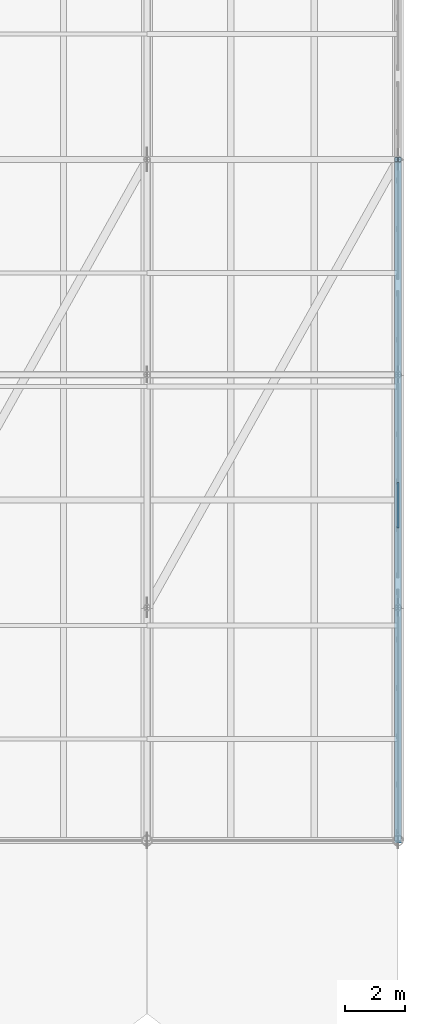
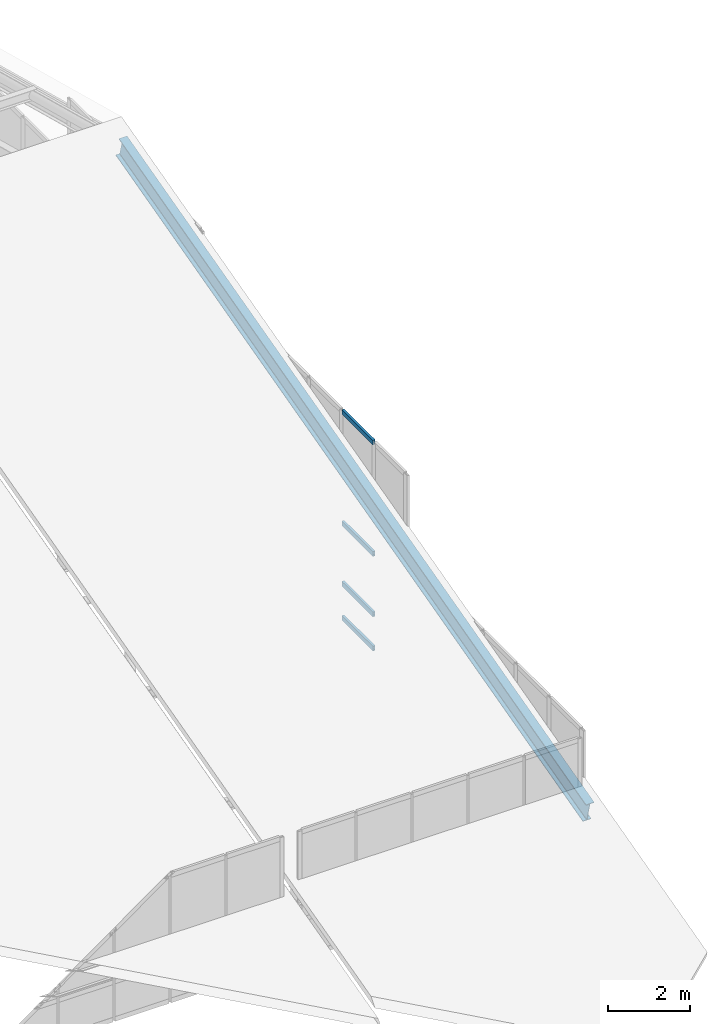
# One storey, part 27 of 43: 4 members, 1 beam, 1 element without a shape of its own.
"""IFC4 building model written with IfcOpenShell, lengths in metres."""

from ifc_helpers import new_model, si_unit, direction, frame, origin, origin_2d, place, context, subcontext, project, spatial, hollow_rectangle, i_section, extrude, material, layer, layer_set, material_profile, profile_set, type_object, element, aggregate, save


model = new_model("IFC4")

# Units and contexts
model_context = context("Model", 3, precision=1e-05, world=origin(), true_north=direction((0.0, 1.0)))
body_context = subcontext(model_context, "Body", "Model", "MODEL_VIEW")
ifc_project = project(units=[si_unit("LENGTHUNIT", "METRE"), si_unit("AREAUNIT", "SQUARE_METRE"), si_unit("VOLUMEUNIT", "CUBIC_METRE"), si_unit("PLANEANGLEUNIT", "RADIAN"), si_unit("MASSUNIT", "GRAM", prefix="KILO")], contexts=[model_context])

# Site, building, storey
site_placement = place(None, origin())
site = spatial("IfcSite", under=ifc_project, at=site_placement, CompositionType="ELEMENT")
building_placement = place(site_placement, origin())
building = spatial("IfcBuilding", under=site, at=building_placement, Name="Selat Folded Stagehouse", CompositionType="ELEMENT")
storey_placement = place(building_placement, frame((0.0, 0.0, 32.39990234375)))
storey = spatial("IfcBuildingStorey", under=building, at=storey_placement, Name="RF", CompositionType="ELEMENT", Elevation=32.39990234375)

# Beam
ifc_material_1 = material(Name="Steel S355", Category="steel")
ifc_material_profile_1 = material_profile(ifc_material_1, i_section(OverallWidth=0.230224609375, OverallDepth=0.6171875, WebThickness=0.01318359375, FlangeThickness=0.022216796875, FilletRadius=0.0126953125, at=origin_2d()), Name="UKB 610x229x140")
ifc_profile_set_1 = profile_set([ifc_material_profile_1], Name="Steel S355")
beam_type = type_object("IfcBeamType", Name="BM-GIRD-610x229x140", PredefinedType="BEAM", material=ifc_profile_set_1)
beam_placement = place(storey_placement, frame((67.199951171875, 23.39990234375, 1.506591796875), z_axis=(0.0, 0.966837291607, 0.255393131382), x_axis=(-1.0, 0.0, 0.0)))
element("IfcBeam", 1, at=beam_placement, inside=storey, type_object=beam_type, Name="RF primary south rafter beam 8", PredefinedType="BEAM", context=body_context, shape_type="SweptSolid", body=[
    extrude(i_section(OverallWidth=0.230224609375, OverallDepth=0.6171875, WebThickness=0.01318359375, FlangeThickness=0.022216796875, FilletRadius=0.0126953125, at=origin_2d()), origin(), (0.0, 0.0, 1.0), 23.58203125),
])

# Curtain wall, members
ifc_material_2 = material(Name="Aluminium 6063-T6", Category="aluminium")
ifc_layer = layer(ifc_material_2, 0.169921875)
ifc_layer_set = layer_set([ifc_layer], Name="Aluminium 6063-T6")
curtain_wall_type = type_object("IfcCurtainWallType", Name="CW-CRN-CLER", PredefinedType="NOTDEFINED", material=ifc_layer_set)
curtain_wall_placement = place(storey_placement, origin())
curtain_wall = element("IfcCurtainWall", 2, at=curtain_wall_placement, inside=storey, type_object=curtain_wall_type, Name="RF curtain wall CW-RF-E-02", PredefinedType="NOTDEFINED")
ifc_material_profile_2 = material_profile(ifc_material_2, hollow_rectangle(XDim=0.06494140625, YDim=0.139892578125, WallThickness=0.00390625, at=origin_2d()), Name="ALU 140x65x4.0")
ifc_profile_set_2 = profile_set([ifc_material_profile_2], Name="Aluminium 6063-T6")
member_type = type_object("IfcMemberType", Name="CWM-TRN-140x65", PredefinedType="USERDEFINED", material=ifc_profile_set_2)
member_1_placement = place(storey_placement, frame((67.199951171875, 35.38427734375, 0.03271484375), z_axis=(0.0, -1.0, 0.0), x_axis=(1.0, 0.0, 0.0)))
member_1 = element("IfcMember", 3, at=member_1_placement, type_object=member_type, Name="CW-09 transom 5.1", ObjectType="TRANSOM", PredefinedType="USERDEFINED", context=body_context, shape_type="SweptSolid", body=[
    extrude(hollow_rectangle(XDim=0.06494140625, YDim=0.139892578125, WallThickness=0.00390625, at=origin_2d()), origin(), (0.0, 0.0, 1.0), 1.5185546875),
])
member_2_placement = place(storey_placement, frame((67.199951171875, 35.38427734375, 1.050048828125), z_axis=(0.0, -1.0, 0.0), x_axis=(1.0, 0.0, 0.0)))
member_2 = element("IfcMember", 4, at=member_2_placement, type_object=member_type, Name="CW-09 transom 5.2", ObjectType="TRANSOM", PredefinedType="USERDEFINED", context=body_context, shape_type="SweptSolid", body=[
    extrude(hollow_rectangle(XDim=0.06494140625, YDim=0.139892578125, WallThickness=0.00390625, at=origin_2d()), origin(), (0.0, 0.0, 1.0), 1.5185546875),
])
member_3_placement = place(storey_placement, frame((67.199951171875, 35.38427734375, 2.85009765625), z_axis=(0.0, -1.0, 0.0), x_axis=(1.0, 0.0, 0.0)))
member_3 = element("IfcMember", 5, at=member_3_placement, type_object=member_type, Name="CW-09 transom 5.3", ObjectType="TRANSOM", PredefinedType="USERDEFINED", context=body_context, shape_type="SweptSolid", body=[
    extrude(hollow_rectangle(XDim=0.06494140625, YDim=0.139892578125, WallThickness=0.00390625, at=origin_2d()), origin(), (0.0, 0.0, 1.0), 1.5185546875),
])
member_4_placement = place(storey_placement, frame((67.199951171875, 35.38427734375, 6.16748046875), z_axis=(0.0, -1.0, 0.0), x_axis=(1.0, 0.0, 0.0)))
member_4 = element("IfcMember", 6, at=member_4_placement, type_object=member_type, Name="CW-09 transom 5.4", ObjectType="TRANSOM", PredefinedType="USERDEFINED", context=body_context, shape_type="SweptSolid", body=[
    extrude(hollow_rectangle(XDim=0.06494140625, YDim=0.139892578125, WallThickness=0.00390625, at=origin_2d()), origin(), (0.0, 0.0, 1.0), 1.5185546875),
])
aggregate(curtain_wall, [member_1, member_2, member_3, member_4])

save(model, "model.ifc")
